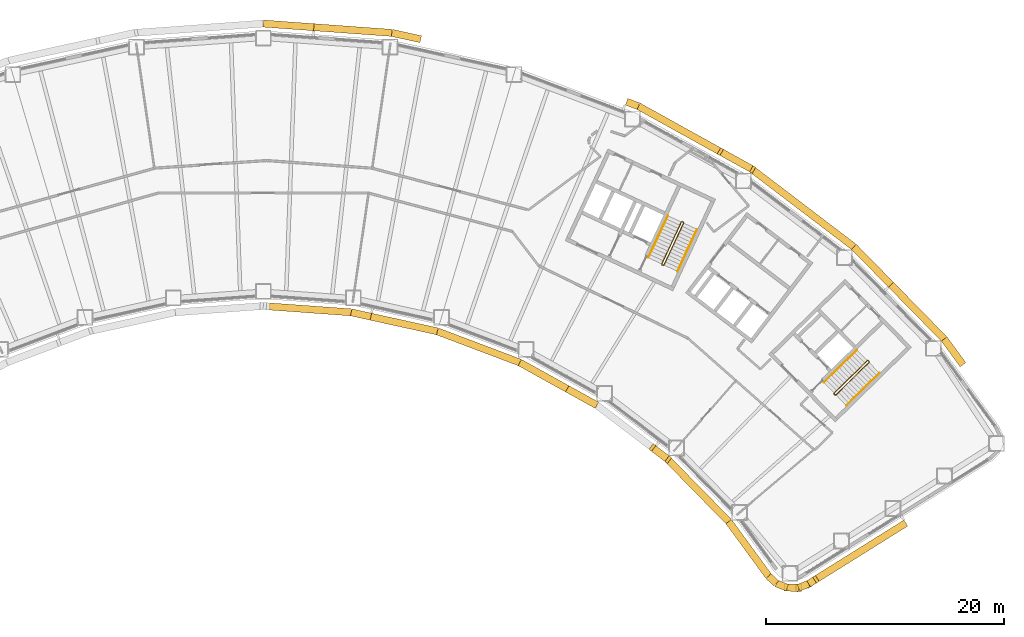
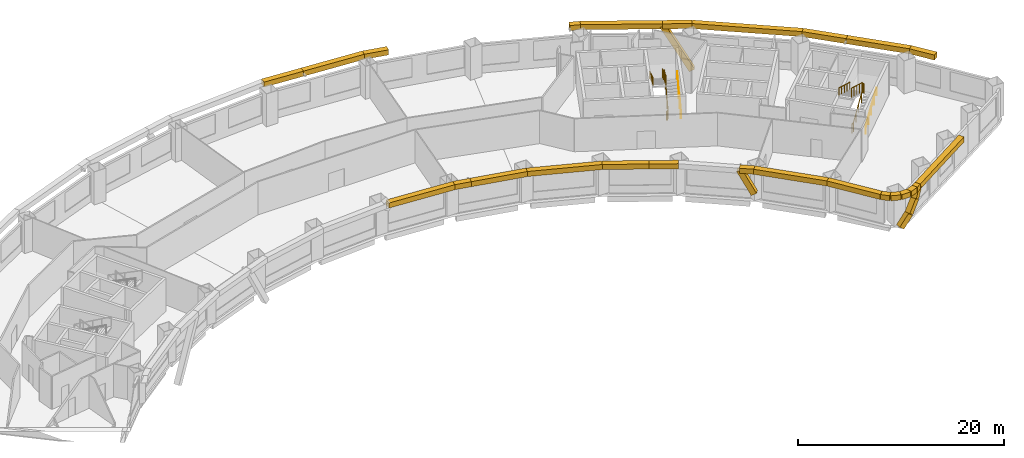
# One storey, part 13 of 14: 30 coverings, 6 railings.
"""IFC4 building model written with IfcOpenShell, lengths in metres."""

from ifc_helpers import new_model, si_unit, direction, frame, origin, origin_2d, place, context, subcontext, project, spatial, rectangle, circle, extrude, material, material_profile, profile_set, type_object, element, save


model = new_model("IFC4")

# Units and contexts
model_context = context("Model", 3, precision=1e-05, world=origin(), true_north=direction((0.0, 1.0)))
body_context = subcontext(model_context, "Body", "Model", "MODEL_VIEW")
ifc_project = project(units=[si_unit("LENGTHUNIT", "METRE"), si_unit("AREAUNIT", "SQUARE_METRE"), si_unit("VOLUMEUNIT", "CUBIC_METRE"), si_unit("PLANEANGLEUNIT", "RADIAN"), si_unit("MASSUNIT", "GRAM", prefix="KILO")], contexts=[model_context])

# Site, building, storey
site_placement = place(None, origin())
site = spatial("IfcSite", under=ifc_project, at=site_placement, CompositionType="ELEMENT")
building_placement = place(site_placement, origin())
building = spatial("IfcBuilding", under=site, at=building_placement, Name="Tuul Gate Civic Tower", CompositionType="ELEMENT")
storey_placement = place(building_placement, frame((0.0, 0.0, 44.10009765625)))
storey = spatial("IfcBuildingStorey", under=building, at=storey_placement, Name="Level 09", CompositionType="ELEMENT", Elevation=44.10009765625)

# Railings
ifc_material_1 = material(Name="Painted steel", Category="steel")
railing_type_1 = type_object("IfcRailingType", Name="Stair guard", PredefinedType="GUARDRAIL", material=ifc_material_1)
railing_1_placement = place(storey_placement, frame((48.10546875, -16.134765625, 0.0)))
element("IfcRailing", 1, at=railing_1_placement, inside=storey, type_object=railing_type_1, Name="Level 09 ST-3 stair guard 1", PredefinedType="GUARDRAIL", context=body_context, shape_type="SweptSolid", body=[
    extrude(circle(Radius=0.02392578125, at=origin_2d()), frame((0.0, 0.0, 1.076171875), z_axis=(-0.698506948293, 0.715603272202, 0.0), x_axis=(-0.715603272202, -0.698506948293, 0.0)), (0.0, 0.0, 1.0), 0.099853515625),
    extrude(circle(Radius=0.02392578125, at=origin_2d()), frame((-0.06982421875, 0.071533203125, 1.076171875), z_axis=(0.645446321009, -0.331687692741, 0.688027849131), x_axis=(0.457068866502, 0.889431307788, 0.0)), (0.0, 0.0, 1.0), 0.2177734375),
    extrude(circle(Radius=0.02392578125, at=origin_2d()), frame((0.07080078125, -0.000732421875, 1.22607421875), z_axis=(0.638731261263, 0.626133563701, 0.447190268558), x_axis=(-0.700029477518, 0.714113947914, 0.0)), (0.0, 0.0, 1.0), 4.3603515625),
    extrude(circle(Radius=0.02392578125, at=origin_2d()), frame((2.85595703125, 2.7294921875, 3.17578125), z_axis=(0.010380063588, 0.999946125689, 0.0), x_axis=(-0.999946125689, 0.010380063588, 0.0)), (0.0, 0.0, 1.0), 0.070556640625),
    extrude(circle(Radius=0.02392578125, at=origin_2d()), frame((2.856689453125, 2.800048828125, 3.17578125), z_axis=(-0.699754442181, 0.714383454909, 0.0), x_axis=(-0.714383454909, -0.699754442181, 0.0)), (0.0, 0.0, 1.0), 0.10009765625),
    extrude(circle(Radius=0.02392578125, at=origin_2d()), frame((2.78662109375, 2.87158203125, 3.17578125), z_axis=(-0.426501027327, 0.004412079593, 0.904476316574), x_axis=(-0.010344274102, -0.999946496565, 0.0)), (0.0, 0.0, 1.0), 0.166015625),
    extrude(circle(Radius=0.02392578125, at=origin_2d()), frame((2.7158203125, 2.872314453125, 3.326171875), z_axis=(-0.638731261263, -0.626133563701, 0.447190268558), x_axis=(0.700029477518, -0.714113947914, 0.0)), (0.0, 0.0, 1.0), 4.3603515625),
    extrude(circle(Radius=0.02099609375, at=origin_2d()), origin(), (0.0, 0.0, 1.0), 1.052001953125),
    extrude(circle(Radius=0.02099609375, at=origin_2d()), frame((-0.06982421875, 0.071533203125, 0.0)), (0.0, 0.0, 1.0), 1.052001953125),
    extrude(circle(Radius=0.02099609375, at=origin_2d()), frame((0.07080078125, -0.000732421875, 0.14990234375)), (0.0, 0.0, 1.0), 1.052001953125),
    extrude(circle(Radius=0.02099609375, at=origin_2d()), frame((0.76708984375, 0.681884765625, 0.637451171875)), (0.0, 0.0, 1.0), 1.052001953125),
    extrude(circle(Radius=0.02099609375, at=origin_2d()), frame((1.46337890625, 1.3642578125, 1.125)), (0.0, 0.0, 1.0), 1.052001953125),
    extrude(circle(Radius=0.02099609375, at=origin_2d()), frame((2.15966796875, 2.046875, 1.6123046875)), (0.0, 0.0, 1.0), 1.052001953125),
    extrude(circle(Radius=0.02099609375, at=origin_2d()), frame((2.85595703125, 2.7294921875, 2.099853515625)), (0.0, 0.0, 1.0), 1.052001953125),
    extrude(circle(Radius=0.02099609375, at=origin_2d()), frame((2.856689453125, 2.800048828125, 2.099853515625)), (0.0, 0.0, 1.0), 1.052001953125),
    extrude(circle(Radius=0.02099609375, at=origin_2d()), frame((2.78662109375, 2.87158203125, 2.099853515625)), (0.0, 0.0, 1.0), 1.052001953125),
    extrude(circle(Radius=0.02099609375, at=origin_2d()), frame((2.7158203125, 2.872314453125, 2.25)), (0.0, 0.0, 1.0), 1.052001953125),
    extrude(circle(Radius=0.02099609375, at=origin_2d()), frame((2.01953125, 2.189697265625, 2.737548828125)), (0.0, 0.0, 1.0), 1.052001953125),
    extrude(circle(Radius=0.02099609375, at=origin_2d()), frame((1.3232421875, 1.50732421875, 3.22509765625)), (0.0, 0.0, 1.0), 1.052001953125),
    extrude(circle(Radius=0.02099609375, at=origin_2d()), frame((0.626953125, 0.82470703125, 3.71240234375)), (0.0, 0.0, 1.0), 1.052001953125),
    extrude(circle(Radius=0.02099609375, at=origin_2d()), frame((-0.0693359375, 0.14208984375, 4.199951171875)), (0.0, 0.0, 1.0), 1.052001953125),
])
railing_2_placement = place(storey_placement, frame((33.645751953125, -5.238525390625, 0.0)))
element("IfcRailing", 2, at=railing_2_placement, inside=storey, type_object=railing_type_1, Name="Level 09 ST-4 stair guard 1", PredefinedType="GUARDRAIL", context=body_context, shape_type="SweptSolid", body=[
    extrude(circle(Radius=0.02392578125, at=origin_2d()), frame((0.0, 0.0, 1.076171875), z_axis=(-0.906307919131, 0.422617978463, 0.0), x_axis=(-0.422617978463, -0.906307919131, 0.0)), (0.0, 0.0, 1.0), 0.099853515625),
    extrude(circle(Radius=0.02392578125, at=origin_2d()), frame((-0.090576171875, 0.042236328125, 1.076171875), z_axis=(0.720735628292, -0.082946246491, 0.688229666829), x_axis=(0.114330889033, 0.993442724979, 0.0)), (0.0, 0.0, 1.0), 0.2177734375),
    extrude(circle(Radius=0.02392578125, at=origin_2d()), frame((0.06640625, 0.024169921875, 1.22607421875), z_axis=(0.377946903738, 0.810654114417, 0.447209173356), x_axis=(-0.906336612539, 0.422556439746, 0.0)), (0.0, 0.0, 1.0), 4.3603515625),
    extrude(circle(Radius=0.02392578125, at=origin_2d()), frame((1.71435546875, 3.558837890625, 3.17578125), z_axis=(-0.342020437038, 0.939692513883, 0.0), x_axis=(-0.939692513883, -0.342020437038, 0.0)), (0.0, 0.0, 1.0), 0.070556640625),
    extrude(circle(Radius=0.02392578125, at=origin_2d()), frame((1.690185546875, 3.625244140625, 3.17578125), z_axis=(-0.906307919131, 0.422617978463, 0.0), x_axis=(-0.422617978463, -0.906307919131, 0.0)), (0.0, 0.0, 1.0), 0.099853515625),
    extrude(circle(Radius=0.02392578125, at=origin_2d()), frame((1.599609375, 3.66748046875, 3.17578125), z_axis=(-0.400168791901, -0.145649670582, 0.904793408159), x_axis=(0.342020437038, -0.939692513883, 0.0)), (0.0, 0.0, 1.0), 0.166015625),
    extrude(circle(Radius=0.02392578125, at=origin_2d()), frame((1.533203125, 3.643310546875, 3.326171875), z_axis=(-0.377946903738, -0.810654114417, 0.447209173356), x_axis=(0.906336612539, -0.422556439746, 0.0)), (0.0, 0.0, 1.0), 4.3603515625),
    extrude(circle(Radius=0.02099609375, at=origin_2d()), origin(), (0.0, 0.0, 1.0), 1.052001953125),
    extrude(circle(Radius=0.02099609375, at=origin_2d()), frame((-0.090576171875, 0.042236328125, 0.0)), (0.0, 0.0, 1.0), 1.052001953125),
    extrude(circle(Radius=0.02099609375, at=origin_2d()), frame((0.06640625, 0.024169921875, 0.14990234375)), (0.0, 0.0, 1.0), 1.052001953125),
    extrude(circle(Radius=0.02099609375, at=origin_2d()), frame((0.478515625, 0.90771484375, 0.637451171875)), (0.0, 0.0, 1.0), 1.052001953125),
    extrude(circle(Radius=0.02099609375, at=origin_2d()), frame((0.890380859375, 1.79150390625, 1.125)), (0.0, 0.0, 1.0), 1.052001953125),
    extrude(circle(Radius=0.02099609375, at=origin_2d()), frame((1.30224609375, 2.67529296875, 1.6123046875)), (0.0, 0.0, 1.0), 1.052001953125),
    extrude(circle(Radius=0.02099609375, at=origin_2d()), frame((1.71435546875, 3.558837890625, 2.099853515625)), (0.0, 0.0, 1.0), 1.052001953125),
    extrude(circle(Radius=0.02099609375, at=origin_2d()), frame((1.690185546875, 3.625244140625, 2.099853515625)), (0.0, 0.0, 1.0), 1.052001953125),
    extrude(circle(Radius=0.02099609375, at=origin_2d()), frame((1.599609375, 3.66748046875, 2.099853515625)), (0.0, 0.0, 1.0), 1.052001953125),
    extrude(circle(Radius=0.02099609375, at=origin_2d()), frame((1.533203125, 3.643310546875, 2.25)), (0.0, 0.0, 1.0), 1.052001953125),
    extrude(circle(Radius=0.02099609375, at=origin_2d()), frame((1.12109375, 2.759765625, 2.737548828125)), (0.0, 0.0, 1.0), 1.052001953125),
    extrude(circle(Radius=0.02099609375, at=origin_2d()), frame((0.709228515625, 1.8759765625, 3.22509765625)), (0.0, 0.0, 1.0), 1.052001953125),
    extrude(circle(Radius=0.02099609375, at=origin_2d()), frame((0.29736328125, 0.9921875, 3.71240234375)), (0.0, 0.0, 1.0), 1.052001953125),
    extrude(circle(Radius=0.02099609375, at=origin_2d()), frame((-0.11474609375, 0.108642578125, 4.199951171875)), (0.0, 0.0, 1.0), 1.052001953125),
])
ifc_material_2 = material(Name="Painted steel", Category="steel")
railing_type_2 = type_object("IfcRailingType", Name="Stair handrail", PredefinedType="HANDRAIL", material=ifc_material_2)
railing_3_placement = place(storey_placement, frame((49.05126953125, -17.028076171875, 0.14990234375)))
element("IfcRailing", 3, at=railing_3_placement, inside=storey, type_object=railing_type_2, Name="Level 09 ST-3 stair handrail 1", PredefinedType="HANDRAIL", context=body_context, shape_type="SweptSolid", body=[
    extrude(circle(Radius=0.02392578125, at=origin_2d()), frame((0.0, 0.0, 0.8759765625), z_axis=(0.638753653487, 0.626099522554, 0.447205945863), x_axis=(-0.699997553204, 0.714145241186, 0.0)), (0.0, 0.0, 1.0), 4.3603515625),
    extrude(circle(Radius=0.02099609375, at=origin_2d()), origin(), (0.0, 0.0, 1.0), 0.851806640625),
    extrude(circle(Radius=0.02099609375, at=origin_2d()), frame((0.6962890625, 0.6826171875, 0.487548828125)), (0.0, 0.0, 1.0), 0.851806640625),
    extrude(circle(Radius=0.02099609375, at=origin_2d()), frame((1.392578125, 1.364990234375, 0.97509765625)), (0.0, 0.0, 1.0), 0.851806640625),
    extrude(circle(Radius=0.02099609375, at=origin_2d()), frame((2.0888671875, 2.04736328125, 1.46240234375)), (0.0, 0.0, 1.0), 0.851806640625),
    extrude(circle(Radius=0.02099609375, at=origin_2d()), frame((2.78515625, 2.72998046875, 1.949951171875)), (0.0, 0.0, 1.0), 0.851806640625),
])
railing_4_placement = place(storey_placement, frame((49.9462890625, -12.369873046875, 2.25)))
element("IfcRailing", 4, at=railing_4_placement, inside=storey, type_object=railing_type_2, Name="Level 09 ST-3 stair handrail 2", PredefinedType="HANDRAIL", context=body_context, shape_type="SweptSolid", body=[
    extrude(circle(Radius=0.02392578125, at=origin_2d()), frame((0.0, 0.0, 0.8759765625), z_axis=(-0.638753653487, -0.626099522554, 0.447205945863), x_axis=(0.699997553204, -0.714145241186, 0.0)), (0.0, 0.0, 1.0), 4.3603515625),
    extrude(circle(Radius=0.02099609375, at=origin_2d()), origin(), (0.0, 0.0, 1.0), 0.851806640625),
    extrude(circle(Radius=0.02099609375, at=origin_2d()), frame((-0.6962890625, -0.6826171875, 0.487548828125)), (0.0, 0.0, 1.0), 0.851806640625),
    extrude(circle(Radius=0.02099609375, at=origin_2d()), frame((-1.392578125, -1.364990234375, 0.97509765625)), (0.0, 0.0, 1.0), 0.851806640625),
    extrude(circle(Radius=0.02099609375, at=origin_2d()), frame((-2.0888671875, -2.04736328125, 1.46240234375)), (0.0, 0.0, 1.0), 0.851806640625),
    extrude(circle(Radius=0.02099609375, at=origin_2d()), frame((-2.78515625, -2.72998046875, 1.949951171875)), (0.0, 0.0, 1.0), 0.851806640625),
])
railing_5_placement = place(storey_placement, frame((34.844970703125, -5.74267578125, 0.14990234375)))
element("IfcRailing", 5, at=railing_5_placement, inside=storey, type_object=railing_type_2, Name="Level 09 ST-4 stair handrail 1", PredefinedType="HANDRAIL", context=body_context, shape_type="SweptSolid", body=[
    extrude(circle(Radius=0.02392578125, at=origin_2d()), frame((0.0, 0.0, 0.8759765625), z_axis=(0.377994896215, 0.810636958585, 0.447199709091), x_axis=(-0.906312636903, 0.422607861012, 0.0)), (0.0, 0.0, 1.0), 4.3603515625),
    extrude(circle(Radius=0.02099609375, at=origin_2d()), origin(), (0.0, 0.0, 1.0), 0.851806640625),
    extrude(circle(Radius=0.02099609375, at=origin_2d()), frame((0.412109375, 0.8837890625, 0.487548828125)), (0.0, 0.0, 1.0), 0.851806640625),
    extrude(circle(Radius=0.02099609375, at=origin_2d()), frame((0.82421875, 1.767333984375, 0.97509765625)), (0.0, 0.0, 1.0), 0.851806640625),
    extrude(circle(Radius=0.02099609375, at=origin_2d()), frame((1.236083984375, 2.65087890625, 1.46240234375)), (0.0, 0.0, 1.0), 0.851806640625),
    extrude(circle(Radius=0.02099609375, at=origin_2d()), frame((1.648193359375, 3.53466796875, 1.949951171875)), (0.0, 0.0, 1.0), 0.851806640625),
])
railing_6_placement = place(storey_placement, frame((34.046142578125, -1.06689453125, 2.25)))
element("IfcRailing", 6, at=railing_6_placement, inside=storey, type_object=railing_type_2, Name="Level 09 ST-4 stair handrail 2", PredefinedType="HANDRAIL", context=body_context, shape_type="SweptSolid", body=[
    extrude(circle(Radius=0.02392578125, at=origin_2d()), frame((0.0, 0.0, 0.8759765625), z_axis=(-0.377994896215, -0.810636958585, 0.447199709091), x_axis=(0.906312636903, -0.422607861012, 0.0)), (0.0, 0.0, 1.0), 4.3603515625),
    extrude(circle(Radius=0.02099609375, at=origin_2d()), origin(), (0.0, 0.0, 1.0), 0.851806640625),
    extrude(circle(Radius=0.02099609375, at=origin_2d()), frame((-0.412109375, -0.8837890625, 0.487548828125)), (0.0, 0.0, 1.0), 0.851806640625),
    extrude(circle(Radius=0.02099609375, at=origin_2d()), frame((-0.82421875, -1.767333984375, 0.97509765625)), (0.0, 0.0, 1.0), 0.851806640625),
    extrude(circle(Radius=0.02099609375, at=origin_2d()), frame((-1.236083984375, -2.65087890625, 1.46240234375)), (0.0, 0.0, 1.0), 0.851806640625),
    extrude(circle(Radius=0.02099609375, at=origin_2d()), frame((-1.648193359375, -3.53466796875, 1.949951171875)), (0.0, 0.0, 1.0), 0.851806640625),
])

# Coverings
ifc_material_3 = material(Name="Terracotta baguette", Category="masonry")
ifc_material_profile = material_profile(ifc_material_3, rectangle(XDim=0.60009765625, YDim=0.60009765625, at=origin_2d()), Name="Terracotta baguette screen frame")
ifc_profile_set = profile_set([ifc_material_profile], Name="Terracotta baguette")
covering_type = type_object("IfcCoveringType", Name="Terracotta baguette screen frame", PredefinedType="CLADDING", material=ifc_profile_set)
covering_1_placement = place(storey_placement, frame((58.870361328125, -13.60400390625, 3.849853515625), z_axis=(-0.589822441222, 0.807532963928, 0.0), x_axis=(-0.807532963928, -0.589822441222, 0.0)))
element("IfcCovering", 7, at=covering_1_placement, inside=storey, type_object=covering_type, Name="Baguette 23", PredefinedType="CLADDING", context=body_context, shape_type="SweptSolid", body=[
    extrude(rectangle(XDim=0.60009765625, YDim=0.60009765625, at=origin_2d()), origin(), (0.0, 0.0, 1.0), 2.68017578125),
])
covering_2_placement = place(storey_placement, frame((57.28955078125, -11.439697265625, 3.849853515625), z_axis=(-0.700001676443, 0.714141199607, 0.0), x_axis=(-0.714141199607, -0.700001676443, 0.0)))
element("IfcCovering", 8, at=covering_2_placement, inside=storey, type_object=covering_type, Name="Baguette 24", PredefinedType="CLADDING", context=body_context, shape_type="SweptSolid", body=[
    extrude(rectangle(XDim=0.60009765625, YDim=0.60009765625, at=origin_2d()), origin(), (0.0, 0.0, 1.0), 6.406005859375),
])
covering_3_placement = place(storey_placement, frame((41.06005859375, 2.883544921875, -1.424072265625), z_axis=(-0.415588593059, 0.23038019037, 0.879892657774), x_axis=(-0.484834849005, -0.874605722135, 0.0)))
element("IfcCovering", 9, at=covering_3_placement, inside=storey, type_object=covering_type, Name="Baguette 40", PredefinedType="CLADDING", context=body_context, shape_type="SweptSolid", body=[
    extrude(rectangle(XDim=0.60009765625, YDim=0.60009765625, at=origin_2d()), origin(), (0.0, 0.0, 1.0), 5.993896484375),
])
covering_4_placement = place(storey_placement, frame((38.569091796875, 4.264404296875, 3.849853515625), z_axis=(-0.874634570388, 0.484782805267, 0.0), x_axis=(-0.484782805267, -0.874634570388, 0.0)))
element("IfcCovering", 10, at=covering_4_placement, inside=storey, type_object=covering_type, Name="Baguette 47", PredefinedType="CLADDING", context=body_context, shape_type="SweptSolid", body=[
    extrude(rectangle(XDim=0.60009765625, YDim=0.60009765625, at=origin_2d()), origin(), (0.0, 0.0, 1.0), 8.00341796875),
])
covering_5_placement = place(storey_placement, frame((31.569091796875, 8.144287109375, 3.849853515625), z_axis=(-0.935349569551, 0.353724727352, 0.0), x_axis=(-0.353724727352, -0.935349569551, 0.0)))
element("IfcCovering", 11, at=covering_5_placement, inside=storey, type_object=covering_type, Name="Baguette 48", PredefinedType="CLADDING", context=body_context, shape_type="SweptSolid", body=[
    extrude(rectangle(XDim=0.60009765625, YDim=0.60009765625, at=origin_2d()), origin(), (0.0, 0.0, 1.0), 1.069091796875),
])
covering_6_placement = place(storey_placement, frame((13.25244140625, 13.7822265625, 3.849853515625), z_axis=(-0.976534395117, 0.215361498772, 0.0), x_axis=(-0.215361498772, -0.976534395117, 0.0)))
element("IfcCovering", 12, at=covering_6_placement, inside=storey, type_object=covering_type, Name="Baguette 65", PredefinedType="CLADDING", context=body_context, shape_type="SweptSolid", body=[
    extrude(rectangle(XDim=0.60009765625, YDim=0.60009765625, at=origin_2d()), origin(), (0.0, 0.0, 1.0), 2.48828125),
])
covering_7_placement = place(storey_placement, frame((10.822509765625, 14.318115234375, 3.849853515625), z_axis=(-0.997387816704, 0.07223256253, 0.0), x_axis=(-0.07223256253, -0.997387816704, 0.0)))
element("IfcCovering", 13, at=covering_7_placement, inside=storey, type_object=covering_type, Name="Baguette 66", PredefinedType="CLADDING", context=body_context, shape_type="SweptSolid", body=[
    extrude(rectangle(XDim=0.60009765625, YDim=0.60009765625, at=origin_2d()), origin(), (0.0, 0.0, 1.0), 6.583984375),
])
covering_8_placement = place(storey_placement, frame((0.26220703125, -8.679931640625, 3.849853515625), z_axis=(0.997395087783, -0.072132093174, 0.0), x_axis=(0.072132093174, 0.997395087783, 0.0)))
element("IfcCovering", 14, at=covering_8_placement, inside=storey, type_object=covering_type, Name="Baguette 222", PredefinedType="CLADDING", context=body_context, shape_type="SweptSolid", body=[
    extrude(rectangle(XDim=0.60009765625, YDim=0.60009765625, at=origin_2d()), origin(), (0.0, 0.0, 1.0), 7.155029296875),
])
covering_9_placement = place(storey_placement, frame((7.398681640625, -9.196044921875, 3.849853515625), z_axis=(0.97656469943, -0.215224041006, 0.0), x_axis=(0.215224041006, 0.97656469943, 0.0)))
element("IfcCovering", 15, at=covering_9_placement, inside=storey, type_object=covering_type, Name="Baguette 223", PredefinedType="CLADDING", context=body_context, shape_type="SweptSolid", body=[
    extrude(rectangle(XDim=0.60009765625, YDim=0.60009765625, at=origin_2d()), origin(), (0.0, 0.0, 1.0), 1.697021484375),
])
covering_10_placement = place(storey_placement, frame((25.57373046875, -15.62939453125, 3.849853515625), z_axis=(0.874584815903, -0.484872560362, 0.0), x_axis=(0.484872560362, 0.874584815903, 0.0)))
element("IfcCovering", 16, at=covering_10_placement, inside=storey, type_object=covering_type, Name="Baguette 242", PredefinedType="CLADDING", context=body_context, shape_type="SweptSolid", body=[
    extrude(rectangle(XDim=0.60009765625, YDim=0.60009765625, at=origin_2d()), origin(), (0.0, 0.0, 1.0), 2.85302734375),
])
covering_11_placement = place(storey_placement, frame((32.841552734375, -20.647216796875, 3.849853515625), z_axis=(0.370882914381, -0.282413222651, -0.884696917307), x_axis=(0.605820279821, 0.795601526241, 0.0)))
element("IfcCovering", 17, at=covering_11_placement, inside=storey, type_object=covering_type, Name="Baguette 246", PredefinedType="CLADDING", context=body_context, shape_type="SweptSolid", body=[
    extrude(rectangle(XDim=0.60009765625, YDim=0.60009765625, at=origin_2d()), origin(), (0.0, 0.0, 1.0), 3.0439453125),
])
covering_12_placement = place(storey_placement, frame((44.07177734375, -32.359619140625, 0.177978515625), z_axis=(0.602584149107, -0.001662926653, 0.798053618449), x_axis=(0.002759648297, 0.999996192163, 0.0)))
element("IfcCovering", 18, at=covering_12_placement, inside=storey, type_object=covering_type, Name="Baguette 267", PredefinedType="CLADDING", context=body_context, shape_type="SweptSolid", body=[
    extrude(rectangle(XDim=0.60009765625, YDim=0.60009765625, at=origin_2d()), origin(), (0.0, 0.0, 1.0), 1.614990234375),
])
covering_13_placement = place(storey_placement, frame((45.044921875, -32.3623046875, 1.466796875), z_axis=(0.534095784882, 0.207893679057, 0.819464404828), x_axis=(-0.362733847194, 0.93189278144, 0.0)))
element("IfcCovering", 19, at=covering_13_placement, inside=storey, type_object=covering_type, Name="Baguette 268", PredefinedType="CLADDING", context=body_context, shape_type="SweptSolid", body=[
    extrude(rectangle(XDim=0.60009765625, YDim=0.60009765625, at=origin_2d()), origin(), (0.0, 0.0, 1.0), 1.572509765625),
])
covering_14_placement = place(storey_placement, frame((45.884765625, -32.035400390625, 2.75537109375), z_axis=(0.402352266006, 0.251347438013, 0.880305128603), x_axis=(-0.52981289744, 0.848114552231, 0.0)))
element("IfcCovering", 20, at=covering_14_placement, inside=storey, type_object=covering_type, Name="Baguette 269", PredefinedType="CLADDING", context=body_context, shape_type="SweptSolid", body=[
    extrude(rectangle(XDim=0.60009765625, YDim=0.60009765625, at=origin_2d()), origin(), (0.0, 0.0, 1.0), 1.243408203125),
])
covering_15_placement = place(storey_placement, frame((46.385009765625, -31.722900390625, 3.849853515625), z_axis=(0.848039206863, 0.52993348981, 0.0), x_axis=(-0.52993348981, 0.848039206863, 0.0)))
element("IfcCovering", 21, at=covering_15_placement, inside=storey, type_object=covering_type, Name="Baguette 283", PredefinedType="CLADDING", context=body_context, shape_type="SweptSolid", body=[
    extrude(rectangle(XDim=0.60009765625, YDim=0.60009765625, at=origin_2d()), origin(), (0.0, 0.0, 1.0), 9.05322265625),
])
covering_16_placement = place(storey_placement, frame((52.805419921875, -6.864990234375, 3.849853515625), z_axis=(-0.699986848634, 0.714155733534, 0.0), x_axis=(-0.714155733534, -0.699986848634, 0.0)))
element("IfcCovering", 22, at=covering_16_placement, inside=storey, type_object=covering_type, Name="Baguette 291", PredefinedType="CLADDING", context=body_context, shape_type="SweptSolid", body=[
    extrude(rectangle(XDim=0.60009765625, YDim=0.60009765625, at=origin_2d()), origin(), (0.0, 0.0, 1.0), 4.445556640625),
])
covering_17_placement = place(storey_placement, frame((49.693603515625, -3.690185546875, 3.849853515625), z_axis=(-0.795618643442, 0.605797799771, 0.0), x_axis=(-0.605797799771, -0.795618643442, 0.0)))
element("IfcCovering", 23, at=covering_17_placement, inside=storey, type_object=covering_type, Name="Baguette 292", PredefinedType="CLADDING", context=body_context, shape_type="SweptSolid", body=[
    extrude(rectangle(XDim=0.60009765625, YDim=0.60009765625, at=origin_2d()), origin(), (0.0, 0.0, 1.0), 10.851318359375),
])
covering_18_placement = place(storey_placement, frame((41.06005859375, 2.883544921875, 3.849853515625), z_axis=(-0.874605722135, 0.484834849005, 0.0), x_axis=(-0.484834849005, -0.874605722135, 0.0)))
element("IfcCovering", 24, at=covering_18_placement, inside=storey, type_object=covering_type, Name="Baguette 293", PredefinedType="CLADDING", context=body_context, shape_type="SweptSolid", body=[
    extrude(rectangle(XDim=0.60009765625, YDim=0.60009765625, at=origin_2d()), origin(), (0.0, 0.0, 1.0), 2.84814453125),
])
covering_19_placement = place(storey_placement, frame((4.255615234375, 14.793701171875, 3.849853515625), z_axis=(-0.997385274181, 0.072267661138, 0.0), x_axis=(-0.072267661138, -0.997385274181, 0.0)))
element("IfcCovering", 25, at=covering_19_placement, inside=storey, type_object=covering_type, Name="Baguette 300", PredefinedType="CLADDING", context=body_context, shape_type="SweptSolid", body=[
    extrude(rectangle(XDim=0.60009765625, YDim=0.60009765625, at=origin_2d()), origin(), (0.0, 0.0, 1.0), 4.266845703125),
])
covering_20_placement = place(storey_placement, frame((9.055908203125, -9.561279296875, 3.849853515625), z_axis=(0.976557161559, -0.215258240742, 0.0), x_axis=(0.215258240742, 0.976557161559, 0.0)))
element("IfcCovering", 26, at=covering_20_placement, inside=storey, type_object=covering_type, Name="Baguette 361", PredefinedType="CLADDING", context=body_context, shape_type="SweptSolid", body=[
    extrude(rectangle(XDim=0.60009765625, YDim=0.60009765625, at=origin_2d()), origin(), (0.0, 0.0, 1.0), 5.720703125),
])
covering_21_placement = place(storey_placement, frame((14.642578125, -10.792724609375, 3.849853515625), z_axis=(0.935363965038, -0.353686659217, 0.0), x_axis=(0.353686659217, 0.935363965038, 0.0)))
element("IfcCovering", 27, at=covering_21_placement, inside=storey, type_object=covering_type, Name="Baguette 362", PredefinedType="CLADDING", context=body_context, shape_type="SweptSolid", body=[
    extrude(rectangle(XDim=0.60009765625, YDim=0.60009765625, at=origin_2d()), origin(), (0.0, 0.0, 1.0), 7.417724609375),
])
covering_22_placement = place(storey_placement, frame((21.580810546875, -13.416259765625, 3.849853515625), z_axis=(0.874636136261, -0.484779980141, 0.0), x_axis=(0.484779980141, 0.874636136261, 0.0)))
element("IfcCovering", 28, at=covering_22_placement, inside=storey, type_object=covering_type, Name="Baguette 363", PredefinedType="CLADDING", context=body_context, shape_type="SweptSolid", body=[
    extrude(rectangle(XDim=0.60009765625, YDim=0.60009765625, at=origin_2d()), origin(), (0.0, 0.0, 1.0), 4.565185546875),
])
covering_23_placement = place(storey_placement, frame((32.841552734375, -20.647216796875, 3.849853515625), z_axis=(0.795601526241, -0.605820279821, 0.0), x_axis=(0.605820279821, 0.795601526241, 0.0)))
element("IfcCovering", 29, at=covering_23_placement, inside=storey, type_object=covering_type, Name="Baguette 367", PredefinedType="CLADDING", context=body_context, shape_type="SweptSolid", body=[
    extrude(rectangle(XDim=0.60009765625, YDim=0.60009765625, at=origin_2d()), origin(), (0.0, 0.0, 1.0), 1.4189453125),
])
covering_24_placement = place(storey_placement, frame((33.970458984375, -21.5068359375, 3.849853515625), z_axis=(0.700028633045, -0.714114775731, 0.0), x_axis=(0.714114775731, 0.700028633045, 0.0)))
element("IfcCovering", 30, at=covering_24_placement, inside=storey, type_object=covering_type, Name="Baguette 368", PredefinedType="CLADDING", context=body_context, shape_type="SweptSolid", body=[
    extrude(rectangle(XDim=0.60009765625, YDim=0.60009765625, at=origin_2d()), origin(), (0.0, 0.0, 1.0), 7.41796875),
])
covering_25_placement = place(storey_placement, frame((39.163330078125, -26.80419921875, 3.849853515625), z_axis=(0.589729447422, -0.807600878432, 0.0), x_axis=(0.807600878432, 0.589729447422, 0.0)))
element("IfcCovering", 31, at=covering_25_placement, inside=storey, type_object=covering_type, Name="Baguette 369", PredefinedType="CLADDING", context=body_context, shape_type="SweptSolid", body=[
    extrude(rectangle(XDim=0.60009765625, YDim=0.60009765625, at=origin_2d()), origin(), (0.0, 0.0, 1.0), 5.671142578125),
])
covering_26_placement = place(storey_placement, frame((42.5078125, -31.38427734375, 3.849853515625), z_axis=(0.730001285686, -0.683445771731, 0.0), x_axis=(0.683445771731, 0.730001285686, 0.0)))
element("IfcCovering", 32, at=covering_26_placement, inside=storey, type_object=covering_type, Name="Baguette 370", PredefinedType="CLADDING", context=body_context, shape_type="SweptSolid", body=[
    extrude(rectangle(XDim=0.60009765625, YDim=0.60009765625, at=origin_2d()), origin(), (0.0, 0.0, 1.0), 0.902099609375),
])
covering_27_placement = place(storey_placement, frame((43.166259765625, -32.000732421875, 3.849853515625), z_axis=(0.929647485715, -0.36845020329, 0.0), x_axis=(0.36845020329, 0.929647485715, 0.0)))
element("IfcCovering", 33, at=covering_27_placement, inside=storey, type_object=covering_type, Name="Baguette 371", PredefinedType="CLADDING", context=body_context, shape_type="SweptSolid", body=[
    extrude(rectangle(XDim=0.60009765625, YDim=0.60009765625, at=origin_2d()), origin(), (0.0, 0.0, 1.0), 0.97412109375),
])
covering_28_placement = place(storey_placement, frame((44.07177734375, -32.359619140625, 3.849853515625), z_axis=(0.999996192163, -0.002759648297, 0.0), x_axis=(0.002759648297, 0.999996192163, 0.0)))
element("IfcCovering", 34, at=covering_28_placement, inside=storey, type_object=covering_type, Name="Baguette 372", PredefinedType="CLADDING", context=body_context, shape_type="SweptSolid", body=[
    extrude(rectangle(XDim=0.60009765625, YDim=0.60009765625, at=origin_2d()), origin(), (0.0, 0.0, 1.0), 0.97314453125),
])
covering_29_placement = place(storey_placement, frame((45.044921875, -32.3623046875, 3.849853515625), z_axis=(0.93189278144, 0.362733847194, 0.0), x_axis=(-0.362733847194, 0.93189278144, 0.0)))
element("IfcCovering", 35, at=covering_29_placement, inside=storey, type_object=covering_type, Name="Baguette 373", PredefinedType="CLADDING", context=body_context, shape_type="SweptSolid", body=[
    extrude(rectangle(XDim=0.60009765625, YDim=0.60009765625, at=origin_2d()), origin(), (0.0, 0.0, 1.0), 0.901123046875),
])
covering_30_placement = place(storey_placement, frame((45.884765625, -32.035400390625, 3.849853515625), z_axis=(0.848114552231, 0.52981289744, 0.0), x_axis=(-0.52981289744, 0.848114552231, 0.0)))
element("IfcCovering", 36, at=covering_30_placement, inside=storey, type_object=covering_type, Name="Baguette 374", PredefinedType="CLADDING", context=body_context, shape_type="SweptSolid", body=[
    extrude(rectangle(XDim=0.60009765625, YDim=0.60009765625, at=origin_2d()), origin(), (0.0, 0.0, 1.0), 0.58984375),
])

save(model, "model.ifc")
